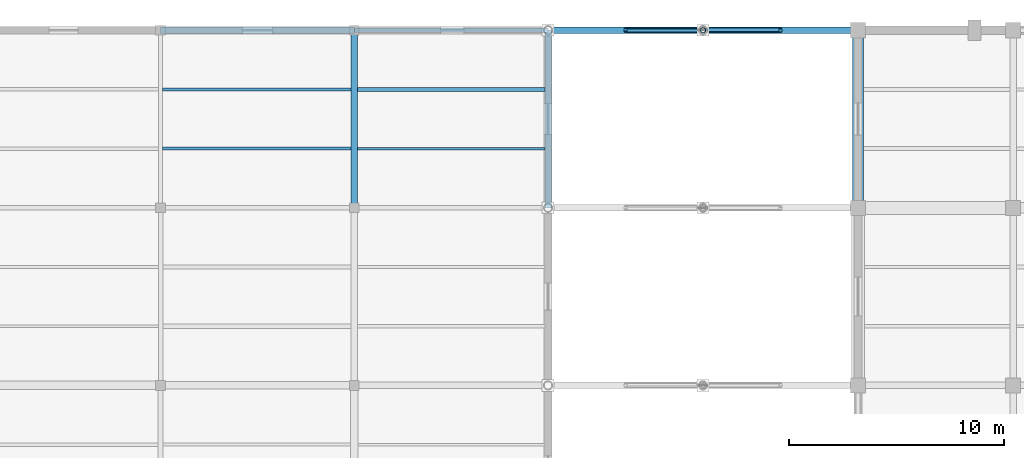
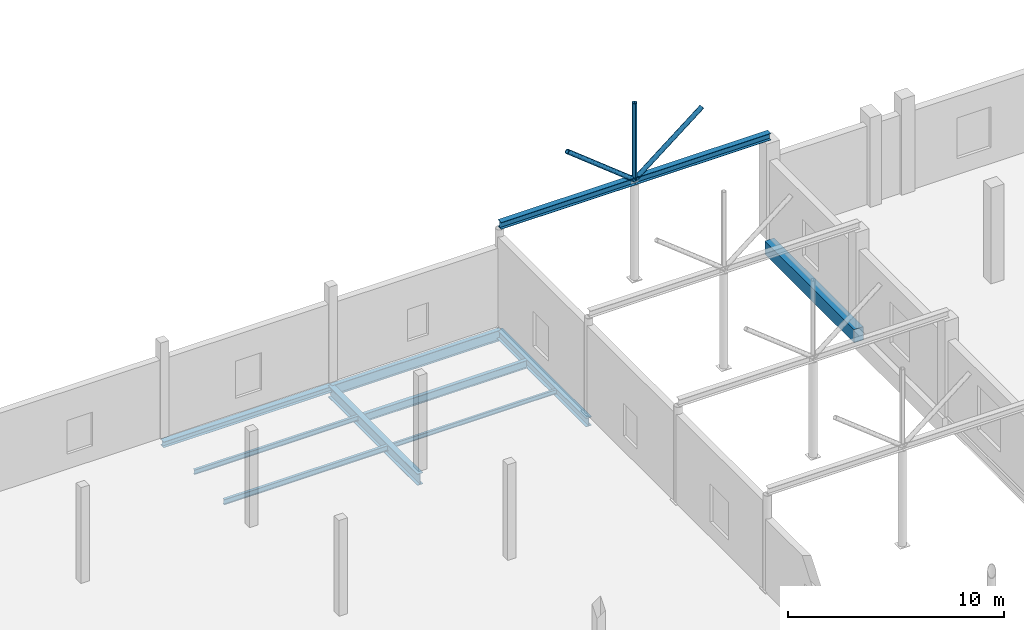
# One storey, part 70 of 147: 11 beams, 3 members.
"""IFC4 building model written with IfcOpenShell, lengths in metres."""

from ifc_helpers import new_model, si_unit, direction, frame, origin, origin_2d, place, context, subcontext, project, spatial, rectangle, hollow_circle, i_section, extrude, material, material_profile, profile_set, type_object, element, save


model = new_model("IFC4")

# Units and contexts
model_context = context("Model", 3, precision=1e-05, world=origin(), true_north=direction((0.0, 1.0)))
body_context = subcontext(model_context, "Body", "Model", "MODEL_VIEW")
ifc_project = project(units=[si_unit("LENGTHUNIT", "METRE"), si_unit("AREAUNIT", "SQUARE_METRE"), si_unit("VOLUMEUNIT", "CUBIC_METRE"), si_unit("PLANEANGLEUNIT", "RADIAN"), si_unit("MASSUNIT", "GRAM", prefix="KILO")], contexts=[model_context])

# Site, building, storey
site_placement = place(None, origin())
site = spatial("IfcSite", under=ifc_project, at=site_placement, CompositionType="ELEMENT")
building_placement = place(site_placement, origin())
building = spatial("IfcBuilding", under=site, at=building_placement, Name="Sundgate Opera House", CompositionType="ELEMENT")
storey_placement = place(building_placement, frame((0.0, 0.0, 6.0)))
storey = spatial("IfcBuildingStorey", under=building, at=storey_placement, Name="L01", CompositionType="ELEMENT", Elevation=6.0)

# Beams
ifc_material_1 = material(Name="Steel S355J2", Category="steel")
ifc_material_profile_1 = material_profile(ifc_material_1, i_section(OverallWidth=0.300048828125, OverallDepth=0.330078125, WebThickness=0.009521484375, FlangeThickness=0.0166015625, at=origin_2d()), Name="HEA 340")
ifc_profile_set_1 = profile_set([ifc_material_profile_1], Name="Steel S355J2")
beam_type_1 = type_object("IfcBeamType", Name="BM-GR-HEA340", PredefinedType="BEAM", material=ifc_profile_set_1)
beam_1_placement = place(storey_placement, frame((63.0, 120.0, -0.465087890625), z_axis=(1.0, 0.0, 0.0), x_axis=(0.0, 1.0, 0.0)))
element("IfcBeam", 1, at=beam_1_placement, inside=storey, type_object=beam_type_1, Name="L01 Primary E-W Girder B1459", PredefinedType="BEAM", context=body_context, shape_type="SweptSolid", body=[
    extrude(i_section(OverallWidth=0.300048828125, OverallDepth=0.330078125, WebThickness=0.009521484375, FlangeThickness=0.0166015625, at=origin_2d()), origin(), (0.0, 0.0, 1.0), 9.0),
])
ifc_material_2 = material(Name="Steel S355J2", Category="steel")
ifc_material_profile_2 = material_profile(ifc_material_2, i_section(OverallWidth=0.300048828125, OverallDepth=0.389892578125, WebThickness=0.010986328125, FlangeThickness=0.01904296875, at=origin_2d()), Name="HEA 400")
ifc_profile_set_2 = profile_set([ifc_material_profile_2], Name="Steel S355J2")
beam_type_2 = type_object("IfcBeamType", Name="BM-GR-HEA400", PredefinedType="BEAM", material=ifc_profile_set_2)
for number, where, z_axis, x_axis, name in (
    (2, (81.0, 120.0, 5.5849609375), (1.0, 0.0, 0.0), (0.0, 1.0, 0.0), "L01 Passage Arch Tie Beam B3419"),
    (3, (88.199951171875, 120.0, 5.5849609375), (1.0, 0.0, 0.0), (0.0, 1.0, 0.0), "L01 Passage Arch Tie Beam B3420"),
):
    element("IfcBeam", number, at=place(storey_placement, frame(where, z_axis=z_axis, x_axis=x_axis)), inside=storey, type_object=beam_type_2, Name=name, PredefinedType="BEAM", context=body_context, shape_type="SweptSolid", body=[
        extrude(i_section(OverallWidth=0.300048828125, OverallDepth=0.389892578125, WebThickness=0.010986328125, FlangeThickness=0.01904296875, at=origin_2d()), origin(), (0.0, 0.0, 1.0), 7.199951171875),
    ])
ifc_material_3 = material(Name="Steel S355J2", Category="steel")
ifc_material_profile_3 = material_profile(ifc_material_3, i_section(OverallWidth=0.300048828125, OverallDepth=0.5, WebThickness=0.014404296875, FlangeThickness=0.028076171875, at=origin_2d()), Name="HEB 500")
ifc_profile_set_3 = profile_set([ifc_material_profile_3], Name="Steel S355J2")
beam_type_3 = type_object("IfcBeamType", Name="BM-GR-HEB500", PredefinedType="BEAM", material=ifc_profile_set_3)
beam_2_placement = place(storey_placement, frame((81.0, 111.75, -0.550048828125), z_axis=(0.0, 1.0, 0.0), x_axis=(-1.0, 0.0, 0.0)))
element("IfcBeam", 4, at=beam_2_placement, inside=storey, type_object=beam_type_3, Name="L01 Primary N-S Girder B1142", PredefinedType="BEAM", context=body_context, shape_type="SweptSolid", body=[
    extrude(i_section(OverallWidth=0.300048828125, OverallDepth=0.5, WebThickness=0.014404296875, FlangeThickness=0.028076171875, at=origin_2d()), origin(), (0.0, 0.0, 1.0), 8.25),
])
ifc_material_4 = material(Name="Steel S355J2", Category="steel")
ifc_material_profile_4 = material_profile(ifc_material_4, i_section(OverallWidth=0.300048828125, OverallDepth=0.64990234375, WebThickness=0.01611328125, FlangeThickness=0.031005859375, at=origin_2d()), Name="HEB 650")
ifc_profile_set_4 = profile_set([ifc_material_profile_4], Name="Steel S355J2")
beam_type_4 = type_object("IfcBeamType", Name="BM-GR-HEB650", PredefinedType="BEAM", material=ifc_profile_set_4)
beam_3_placement = place(storey_placement, frame((72.0, 111.75, -0.625), z_axis=(0.0, 1.0, 0.0), x_axis=(-1.0, 0.0, 0.0)))
element("IfcBeam", 5, at=beam_3_placement, inside=storey, type_object=beam_type_4, Name="L01 Primary N-S Girder B1139", PredefinedType="BEAM", context=body_context, shape_type="SweptSolid", body=[
    extrude(i_section(OverallWidth=0.300048828125, OverallDepth=0.64990234375, WebThickness=0.01611328125, FlangeThickness=0.031005859375, at=origin_2d()), origin(), (0.0, 0.0, 1.0), 8.25),
])
ifc_material_5 = material(Name="Steel S355J2", Category="steel")
ifc_material_profile_5 = material_profile(ifc_material_5, i_section(OverallWidth=0.219970703125, OverallDepth=0.60009765625, WebThickness=0.011962890625, FlangeThickness=0.01904296875, at=origin_2d()), Name="IPE 600")
ifc_profile_set_5 = profile_set([ifc_material_profile_5], Name="Steel S355J2")
beam_type_5 = type_object("IfcBeamType", Name="BM-GR-IPE600", PredefinedType="BEAM", material=ifc_profile_set_5)
beam_4_placement = place(storey_placement, frame((72.0, 120.0, -0.60009765625), z_axis=(1.0, 0.0, 0.0), x_axis=(0.0, 1.0, 0.0)))
element("IfcBeam", 6, at=beam_4_placement, inside=storey, type_object=beam_type_5, Name="L01 Primary E-W Girder B1460", PredefinedType="BEAM", context=body_context, shape_type="SweptSolid", body=[
    extrude(i_section(OverallWidth=0.219970703125, OverallDepth=0.60009765625, WebThickness=0.011962890625, FlangeThickness=0.01904296875, at=origin_2d()), origin(), (0.0, 0.0, 1.0), 9.0),
])
ifc_material_6 = material(Name="Steel S355J2", Category="steel")
ifc_material_profile_6 = material_profile(ifc_material_6, i_section(OverallWidth=0.1201171875, OverallDepth=0.239990234375, WebThickness=0.006103515625, FlangeThickness=0.009765625, at=origin_2d()), Name="IPE 240")
ifc_profile_set_6 = profile_set([ifc_material_profile_6], Name="Steel S355J2")
beam_type_6 = type_object("IfcBeamType", Name="BM-JS-IPE240", PredefinedType="JOIST", material=ifc_profile_set_6)
beam_5_placement = place(storey_placement, frame((72.14990234375, 114.5, -0.419921875), z_axis=(1.0, 0.0, 0.0), x_axis=(0.0, 1.0, 0.0)))
element("IfcBeam", 7, at=beam_5_placement, inside=storey, type_object=beam_type_6, Name="L01 Secondary Floor Joist B1756", PredefinedType="JOIST", context=body_context, shape_type="SweptSolid", body=[
    extrude(i_section(OverallWidth=0.1201171875, OverallDepth=0.239990234375, WebThickness=0.006103515625, FlangeThickness=0.009765625, at=origin_2d()), origin(), (0.0, 0.0, 1.0), 8.7001953125),
])
ifc_material_7 = material(Name="Steel S355J2", Category="steel")
ifc_material_profile_7 = material_profile(ifc_material_7, i_section(OverallWidth=0.135009765625, OverallDepth=0.27001953125, WebThickness=0.006591796875, FlangeThickness=0.01025390625, at=origin_2d()), Name="IPE 270")
ifc_profile_set_7 = profile_set([ifc_material_profile_7], Name="Steel S355J2")
beam_type_7 = type_object("IfcBeamType", Name="BM-JS-IPE270", PredefinedType="JOIST", material=ifc_profile_set_7)
beam_6_placement = place(storey_placement, frame((63.10009765625, 117.25, -0.43505859375), z_axis=(1.0, 0.0, 0.0), x_axis=(0.0, 1.0, 0.0)))
element("IfcBeam", 8, at=beam_6_placement, inside=storey, type_object=beam_type_7, Name="L01 Secondary Floor Joist B1755", PredefinedType="JOIST", context=body_context, shape_type="SweptSolid", body=[
    extrude(i_section(OverallWidth=0.135009765625, OverallDepth=0.27001953125, WebThickness=0.006591796875, FlangeThickness=0.01025390625, at=origin_2d()), origin(), (0.0, 0.0, 1.0), 8.75),
])
ifc_material_8 = material(Name="Steel S355J2", Category="steel")
ifc_material_profile_8 = material_profile(ifc_material_8, i_section(OverallWidth=0.14990234375, OverallDepth=0.300048828125, WebThickness=0.007080078125, FlangeThickness=0.0107421875, at=origin_2d()), Name="IPE 300")
ifc_profile_set_8 = profile_set([ifc_material_profile_8], Name="Steel S355J2")
beam_type_8 = type_object("IfcBeamType", Name="BM-JS-IPE300", PredefinedType="JOIST", material=ifc_profile_set_8)
beam_7_placement = place(storey_placement, frame((63.10009765625, 114.5, -0.449951171875), z_axis=(1.0, 0.0, 0.0), x_axis=(0.0, 1.0, 0.0)))
element("IfcBeam", 9, at=beam_7_placement, inside=storey, type_object=beam_type_8, Name="L01 Secondary Floor Joist B1754", PredefinedType="JOIST", context=body_context, shape_type="SweptSolid", body=[
    extrude(i_section(OverallWidth=0.14990234375, OverallDepth=0.300048828125, WebThickness=0.007080078125, FlangeThickness=0.0107421875, at=origin_2d()), origin(), (0.0, 0.0, 1.0), 8.75),
])
ifc_material_9 = material(Name="Steel S355J2", Category="steel")
ifc_material_profile_9 = material_profile(ifc_material_9, i_section(OverallWidth=0.18994140625, OverallDepth=0.449951171875, WebThickness=0.009521484375, FlangeThickness=0.0146484375, at=origin_2d()), Name="IPE 450")
ifc_profile_set_9 = profile_set([ifc_material_profile_9], Name="Steel S355J2")
beam_type_9 = type_object("IfcBeamType", Name="BM-JS-IPE450", PredefinedType="JOIST", material=ifc_profile_set_9)
beam_8_placement = place(storey_placement, frame((72.14990234375, 117.25, -0.52490234375), z_axis=(1.0, 0.0, 0.0), x_axis=(0.0, 1.0, 0.0)))
element("IfcBeam", 10, at=beam_8_placement, inside=storey, type_object=beam_type_9, Name="L01 Secondary Floor Joist B1757", PredefinedType="JOIST", context=body_context, shape_type="SweptSolid", body=[
    extrude(i_section(OverallWidth=0.18994140625, OverallDepth=0.449951171875, WebThickness=0.009521484375, FlangeThickness=0.0146484375, at=origin_2d()), origin(), (0.0, 0.0, 1.0), 8.7001953125),
])
ifc_material_10 = material(Name="Concrete C40/50", Category="concrete")
ifc_material_profile_10 = material_profile(ifc_material_10, rectangle(XDim=0.5, YDim=0.75, at=origin_2d()), Name="RC 500x750")
ifc_profile_set_10 = profile_set([ifc_material_profile_10], Name="Concrete C40/50")
beam_type_10 = type_object("IfcBeamType", Name="BM-RC-500x750", PredefinedType="BEAM", material=ifc_profile_set_10)
beam_9_placement = place(storey_placement, frame((95.39990234375, 111.75, -0.675048828125), z_axis=(0.0, 1.0, 0.0), x_axis=(-1.0, 0.0, 0.0)))
element("IfcBeam", 11, at=beam_9_placement, inside=storey, type_object=beam_type_10, Name="L01 Primary N-S Girder B1156", PredefinedType="BEAM", context=body_context, shape_type="SweptSolid", body=[
    extrude(rectangle(XDim=0.5, YDim=0.75, at=origin_2d()), origin(), (0.0, 0.0, 1.0), 8.25),
])

# Members
ifc_material_11 = material(Name="Steel S355J2", Category="steel")
ifc_material_profile_11 = material_profile(ifc_material_11, hollow_circle(Radius=0.122314453125, WallThickness=0.012451171875, at=origin_2d()), Name="CHS 244.5x12.5")
ifc_profile_set_11 = profile_set([ifc_material_profile_11], Name="Steel S355J2")
member_type = type_object("IfcMemberType", Name="MB-STRUT-CHS244", PredefinedType="STRUT", material=ifc_profile_set_11)
member_1_placement = place(storey_placement, frame((88.199951171875, 120.0, 5.594970703125), z_axis=(-0.78350570776, 0.0, 0.621384587762), x_axis=(0.0, -1.0, 0.0)))
element("IfcMember", 12, at=member_1_placement, inside=storey, type_object=member_type, Name="Passage Arch Spandrel Strut M0374", PredefinedType="STRUT", context=body_context, shape_type="SweptSolid", body=[
    extrude(hollow_circle(Radius=0.122314453125, WallThickness=0.012451171875, at=origin_2d()), origin(), (0.0, 0.0, 1.0), 4.594482421875),
])
member_2_placement = place(storey_placement, frame((88.199951171875, 120.0, 5.594970703125), z_axis=(0.783526223691, 0.0, 0.621358718285), x_axis=(0.0, 1.0, 0.0)))
element("IfcMember", 13, at=member_2_placement, inside=storey, type_object=member_type, Name="Passage Arch Spandrel Strut M0375", PredefinedType="STRUT", context=body_context, shape_type="SweptSolid", body=[
    extrude(hollow_circle(Radius=0.122314453125, WallThickness=0.012451171875, at=origin_2d()), origin(), (0.0, 0.0, 1.0), 4.5947265625),
])
member_3_placement = place(storey_placement, frame((88.199951171875, 120.0, 5.594970703125), z_axis=(0.0, 0.0, 1.0), x_axis=(1.0, 0.0, 0.0)))
element("IfcMember", 14, at=member_3_placement, inside=storey, type_object=member_type, Name="Passage Arch Crown Post M0376", PredefinedType="STRUT", context=body_context, shape_type="SweptSolid", body=[
    extrude(hollow_circle(Radius=0.122314453125, WallThickness=0.012451171875, at=origin_2d()), origin(), (0.0, 0.0, 1.0), 4.35498046875),
])

save(model, "model.ifc")
